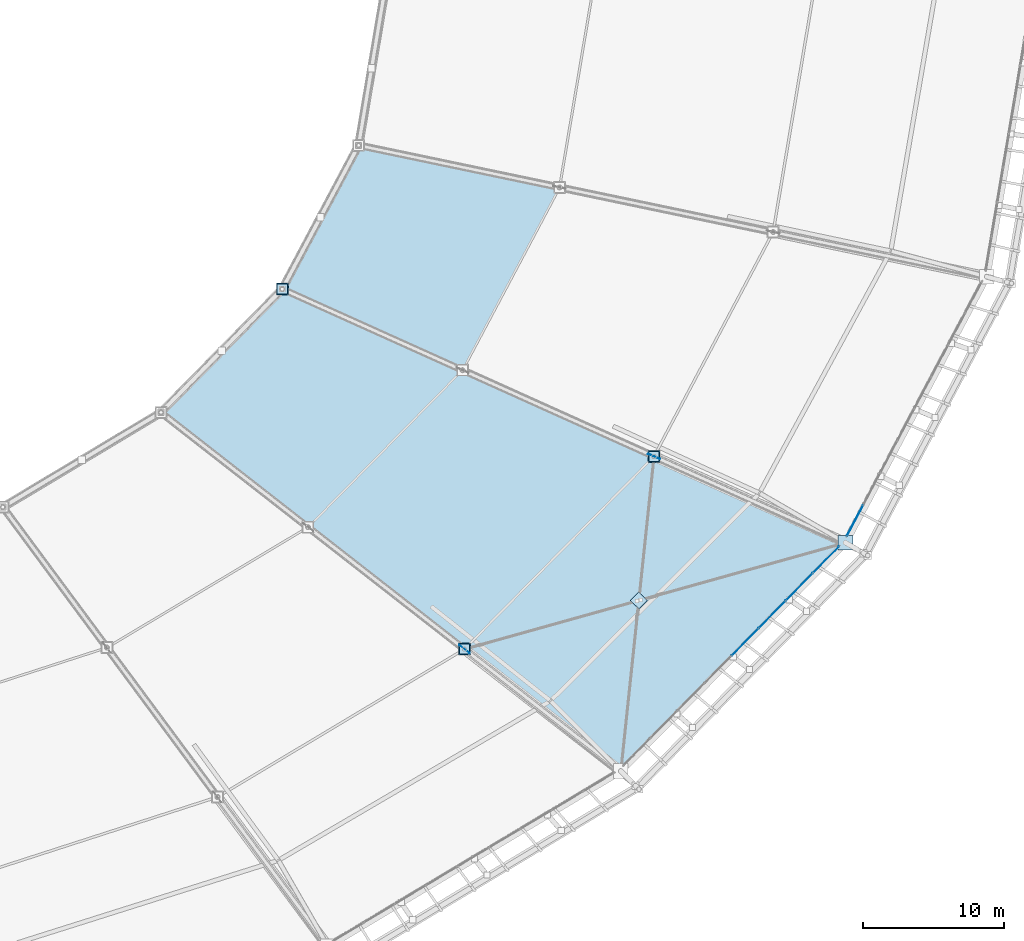
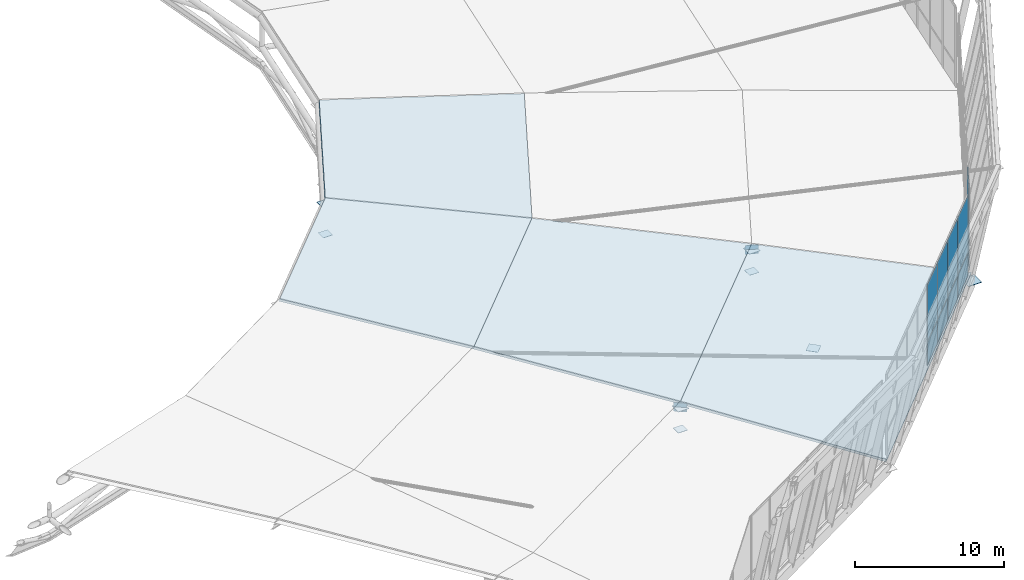
# One storey, part 91 of 115: 20 plates, 4 slabs, 3 elements without a shape of their own.
"""IFC4 building model written with IfcOpenShell, lengths in metres."""

from ifc_helpers import new_model, si_unit, direction, frame, origin, origin_2d, place, context, subcontext, project, spatial, polyline, rectangle, outline, extrude, material, layer, layer_set, type_object, element, aggregate, save


model = new_model("IFC4")

# Units and contexts
model_context = context("Model", 3, precision=1e-05, world=origin(), true_north=direction((0.0, 1.0)))
body_context = subcontext(model_context, "Body", "Model", "MODEL_VIEW")
ifc_project = project(units=[si_unit("LENGTHUNIT", "METRE"), si_unit("AREAUNIT", "SQUARE_METRE"), si_unit("VOLUMEUNIT", "CUBIC_METRE"), si_unit("PLANEANGLEUNIT", "RADIAN"), si_unit("MASSUNIT", "GRAM", prefix="KILO")], contexts=[model_context])

# Site, building, storey
site_placement = place(None, origin())
site = spatial("IfcSite", under=ifc_project, at=site_placement, CompositionType="ELEMENT")
building_placement = place(site_placement, origin())
building = spatial("IfcBuilding", under=site, at=building_placement, Name="Zlatoyarsky Gate Stadium", CompositionType="ELEMENT")
storey_placement = place(building_placement, frame((0.0, 0.0, 31.800048828125)))
storey = spatial("IfcBuildingStorey", under=building, at=storey_placement, Name="RF", CompositionType="ELEMENT", Elevation=31.800048828125)

# Roof, slabs
ifc_material_1 = material(Name="Standing-seam aluminium-zinc roofing with mineral wool insulation", Category="aluminium")
ifc_layer_1 = layer(ifc_material_1, 0.080078125)
ifc_layer_set_1 = layer_set([ifc_layer_1], Name="Standing-seam aluminium-zinc roofing with mineral wool insulation")
roof_type = type_object("IfcRoofType", Name="STADIUM BARREL VAULT ROOF ASSEMBLY", PredefinedType="BARREL_ROOF", material=ifc_layer_set_1)
roof_placement = place(storey_placement, origin())
roof = element("IfcRoof", 1, at=roof_placement, inside=storey, type_object=roof_type, Name="Stadium barrel arch roof sector 8", PredefinedType="BARREL_ROOF")
ifc_material_2 = material(Name="Concrete C40/50", Category="concrete")
ifc_layer_2 = layer(ifc_material_2, 0.199951171875)
ifc_layer_set_2 = layer_set([ifc_layer_2], Name="Concrete C40/50")
slab_type = type_object("IfcSlabType", Name="COMPOSITE STADIUM ROOF DECK SLAB 200", PredefinedType="ROOF", material=ifc_layer_set_2)
slab_1_placement = place(storey_placement, frame((181.730224609375, 24.826171875, 0.199951171875), z_axis=(0.168948625829, -0.166192117478, 0.971512502194), x_axis=(0.701266900285, 0.712898824915, 8.8643e-08)))
slab_1 = element("IfcSlab", 2, at=slab_1_placement, type_object=slab_type, Name="Stadium arched roof deck sector 21 bay 1", PredefinedType="ROOF", context=body_context, shape_type="SweptSolid", body=[
    extrude(outline(polyline([(0.0, 0.0), (22.667889468842993, 0.0), (17.5168582679546, 14.346280713684152), (-1.6058824017872195, 14.346296345083728), (0.0, 0.0)])), origin(), (0.0, 0.0, -1.0), 0.199951171875),
])
slab_2_placement = place(storey_placement, frame((170.66796875, 33.455322265625, 3.599853515625), z_axis=(0.157163436364, -0.154599522261, 0.975396658794), x_axis=(0.701267503741, 0.712898231304, 1.1819e-07)))
slab_2 = element("IfcSlab", 3, at=slab_2_placement, type_object=slab_type, Name="Stadium arched roof deck sector 21 bay 2", PredefinedType="ROOF", context=body_context, shape_type="SweptSolid", body=[
    extrude(outline(polyline([(0.0, 0.0), (19.122740669748183, 0.0), (13.971697741858534, 14.289147505340267), (-1.6058941288034378, 14.289166108712909), (0.0, 0.0)])), origin(), (0.0, 0.0, -1.0), 0.199951171875),
])
slab_3_placement = place(storey_placement, frame((159.605712890625, 42.08447265625, 6.75), z_axis=(0.141161010432, -0.138856723893, 0.980200173109), x_axis=(0.701268194688, 0.712897551629, -1.130846e-06)))
slab_3 = element("IfcSlab", 4, at=slab_3_placement, type_object=slab_type, Name="Stadium arched roof deck sector 21 bay 3", PredefinedType="ROOF", context=body_context, shape_type="SweptSolid", body=[
    extrude(outline(polyline([(0.0, 0.0), (15.577591870662886, 0.0), (10.729505694934321, 13.38278848948377), (-1.5113145713340603, 13.382629616332784), (0.0, 0.0)])), origin(), (0.0, 0.0, -1.0), 0.199951171875),
])
slab_4_placement = place(storey_placement, frame((170.52978515625, 53.189697265625, 6.75), z_axis=(0.164762027399, -0.087486990583, 0.982445673208), x_axis=(0.468975230927, 0.883211318302, 1.93843e-07)))
slab_4 = element("IfcSlab", 5, at=slab_4_placement, type_object=slab_type, Name="Stadium arched roof deck sector 22 bay 3", PredefinedType="ROOF", context=body_context, shape_type="SweptSolid", body=[
    extrude(outline(polyline([(0.0, 0.0), (14.642444595230506, 1.7763568394002505e-15), (10.597969750987318, 14.204854700251184), (-0.9079087809841343, 14.204881870937056), (0.0, 0.0)])), origin(), (0.0, 0.0, -1.0), 0.199951171875),
])
aggregate(roof, [slab_1, slab_2, slab_3, slab_4])

# Plates
ifc_material_3 = material(Name="Steel S355", Category="steel")
ifc_layer_3 = layer(ifc_material_3, 0.02392578125)
ifc_layer_set_3 = layer_set([ifc_layer_3], Name="Steel S355")
plate_type_1 = type_object("IfcPlateType", Name="STEEL COMPRESSION RING NODE CAP SHEET 24", PredefinedType="SHEET", material=ifc_layer_set_3)
plate_1_placement = place(storey_placement, frame((197.62646484375, 40.986083984375, -0.4619140625), z_axis=(0.0, 0.0, 1.0), x_axis=(1.0, 0.0, 0.0)))
element("IfcPlate", 6, at=plate_1_placement, inside=storey, type_object=plate_type_1, Name="Node closure plate ND-CR1 NCAP-CR-22", PredefinedType="SHEET", context=body_context, shape_type="SweptSolid", body=[
    extrude(rectangle(XDim=1.050048828125, YDim=1.050048828125, at=origin_2d()), origin(), (0.0, 0.0, 1.0), 0.02392578125),
])
ifc_layer_4 = layer(ifc_material_3, 0.02392578125)
ifc_layer_set_4 = layer_set([ifc_layer_4], Name="Steel S355")
plate_type_2 = type_object("IfcPlateType", Name="STEEL HOLLOW CHORD SPLICE SHEET 24", PredefinedType="SHEET", material=ifc_layer_set_4)
plate_2_placement = place(storey_placement, frame((170.66796875, 33.455322265625, 3.137939453125), z_axis=(0.0, 0.0, 1.0), x_axis=(1.0, 0.0, 0.0)))
element("IfcPlate", 7, at=plate_2_placement, inside=storey, type_object=plate_type_2, Name="Node closure plate ND-SP1 NCAP-TCH-21-1", PredefinedType="SHEET", context=body_context, shape_type="SweptSolid", body=[
    extrude(rectangle(XDim=0.85009765625, YDim=0.85009765625, at=origin_2d()), origin(), (0.0, 0.0, 1.0), 0.02392578125),
])
plate_3_placement = place(storey_placement, frame((170.66796875, 33.455322265625, 1.337890625), z_axis=(0.0, 0.0, 1.0), x_axis=(1.0, 0.0, 0.0)))
element("IfcPlate", 8, at=plate_3_placement, inside=storey, type_object=plate_type_2, Name="Node closure plate ND-SP1 NCAP-BCH-21-1", PredefinedType="SHEET", context=body_context, shape_type="SweptSolid", body=[
    extrude(rectangle(XDim=0.719970703125, YDim=0.719970703125, at=origin_2d()), origin(), (0.0, 0.0, 1.0), 0.02392578125),
])
plate_4_placement = place(storey_placement, frame((184.078125, 47.087890625, 3.137939453125), z_axis=(0.0, 0.0, 1.0), x_axis=(1.0, 0.0, 0.0)))
element("IfcPlate", 9, at=plate_4_placement, inside=storey, type_object=plate_type_2, Name="Node closure plate ND-SP1 NCAP-TCH-22-1", PredefinedType="SHEET", context=body_context, shape_type="SweptSolid", body=[
    extrude(rectangle(XDim=0.85009765625, YDim=0.85009765625, at=origin_2d()), origin(), (0.0, 0.0, 1.0), 0.02392578125),
])
plate_5_placement = place(storey_placement, frame((184.078125, 47.087890625, 1.337890625), z_axis=(0.0, 0.0, 1.0), x_axis=(1.0, 0.0, 0.0)))
element("IfcPlate", 10, at=plate_5_placement, inside=storey, type_object=plate_type_2, Name="Node closure plate ND-SP1 NCAP-BCH-22-1", PredefinedType="SHEET", context=body_context, shape_type="SweptSolid", body=[
    extrude(rectangle(XDim=0.719970703125, YDim=0.719970703125, at=origin_2d()), origin(), (0.0, 0.0, 1.0), 0.02392578125),
])
ifc_layer_5 = layer(ifc_material_3, 0.031982421875)
ifc_layer_set_5 = layer_set([ifc_layer_5], Name="Steel S355")
plate_type_3 = type_object("IfcPlateType", Name="STEEL RADIAL TRUSS GUSSET PLATE 32", PredefinedType="USERDEFINED", material=ifc_layer_set_5)
for number, where, z_axis, x_axis, name in (
    (11, (170.66796875, 33.455322265625, 2.7900390625), (0.0, 0.0, 1.0), (-0.788479093296, 0.615061557436, 0.0), "Radial truss gusset plate ND-WB1 21.1"),
    (12, (184.078125, 47.087890625, 2.7900390625), (0.0, 0.0, 1.0), (-0.911795809075, 0.410643887757, 0.0), "Radial truss gusset plate ND-WB1 22.1"),
):
    element("IfcPlate", number, at=place(storey_placement, frame(where, z_axis=z_axis, x_axis=x_axis)), inside=storey, type_object=plate_type_3, Name=name, ObjectType="GUSSET PLATE", PredefinedType="USERDEFINED", context=body_context, shape_type="SweptSolid", body=[
        extrude(rectangle(XDim=0.919921875, YDim=0.031982421875, at=origin_2d()), origin(), (0.0, 0.0, 1.0), 0.719970703125),
    ])
ifc_layer_6 = layer(ifc_material_3, 0.02392578125)
ifc_layer_set_6 = layer_set([ifc_layer_6], Name="Steel S355")
plate_type_4 = type_object("IfcPlateType", Name="STEEL TENSION RING NODE CAP SHEET 24", PredefinedType="SHEET", material=ifc_layer_set_6)
plate_6_placement = place(storey_placement, frame((157.7783203125, 58.9326171875, 8.93798828125), z_axis=(0.0, 0.0, 1.0), x_axis=(1.0, 0.0, 0.0)))
element("IfcPlate", 13, at=plate_6_placement, inside=storey, type_object=plate_type_4, Name="Node closure plate ND-TR1 NCAP-TCH-22-3", PredefinedType="SHEET", context=body_context, shape_type="SweptSolid", body=[
    extrude(rectangle(XDim=0.85009765625, YDim=0.85009765625, at=origin_2d()), origin(), (0.0, 0.0, 1.0), 0.02392578125),
])
plate_7_placement = place(storey_placement, frame((157.7783203125, 58.9326171875, 6.43798828125), z_axis=(0.0, 0.0, 1.0), x_axis=(1.0, 0.0, 0.0)))
element("IfcPlate", 14, at=plate_7_placement, inside=storey, type_object=plate_type_4, Name="Node closure plate ND-TR1 NCAP-BCH-22-3", PredefinedType="SHEET", context=body_context, shape_type="SweptSolid", body=[
    extrude(rectangle(XDim=0.719970703125, YDim=0.719970703125, at=origin_2d()), origin(), (0.0, 0.0, 1.0), 0.02392578125),
])
ifc_layer_7 = layer(ifc_material_3, 0.02392578125)
ifc_layer_set_7 = layer_set([ifc_layer_7], Name="Steel S355")
plate_type_5 = type_object("IfcPlateType", Name="STEEL X BRACE CROSSING NODE PLATE 24", PredefinedType="USERDEFINED", material=ifc_layer_set_7)
plate_8_placement = place(storey_placement, frame((183.003662109375, 36.9013671875, 1.582275390625), z_axis=(0.0, 0.0, 1.0), x_axis=(0.701282625266, 0.712883356168, 0.0)))
element("IfcPlate", 15, at=plate_8_placement, inside=storey, type_object=plate_type_5, Name="Roof wind X-brace crossing gusset plate ND-XB1 21", ObjectType="GUSSET PLATE", PredefinedType="USERDEFINED", context=body_context, shape_type="SweptSolid", body=[
    extrude(rectangle(XDim=0.840087890625, YDim=0.840087890625, at=origin_2d()), origin(), (0.0, 0.0, 1.0), 0.02392578125),
])

# Curtain wall, plates
ifc_material_4 = material(Name="Thermally broken anodised aluminium curtain wall", Category="aluminium")
curtain_wall_type = type_object("IfcCurtainWallType", Name="UNITISED SKYBOX RING GLAZING L05", PredefinedType="USERDEFINED", material=ifc_material_4)
curtain_wall_1_placement = place(storey_placement, origin())
curtain_wall_1 = element("IfcCurtainWall", 16, at=curtain_wall_1_placement, inside=storey, type_object=curtain_wall_type, Name="Curtain wall CW-RF-21", ObjectType="UNITISED GLAZING", PredefinedType="USERDEFINED")
ifc_material_5 = material(Name="Triple-glazed argon low-e architectural glass", Category="glass")
ifc_layer_8 = layer(ifc_material_5, 0.0380859375)
ifc_layer_set_8 = layer_set([ifc_layer_8], Name="Triple-glazed argon low-e architectural glass")
plate_type_6 = type_object("IfcPlateType", Name="TRIPLE GLAZED LOW E CURTAIN PANEL 38", PredefinedType="CURTAIN_PANEL", material=ifc_layer_set_8)
plate_9_placement = place(storey_placement, frame((190.525146484375, 33.963134765625, 0.06494140625), z_axis=(0.0, 0.0, 1.0), x_axis=(0.701401848456, 0.712766053473, 0.0)))
plate_9 = element("IfcPlate", 17, at=plate_9_placement, type_object=plate_type_6, Name="CW-UG5 panel 5.1", PredefinedType="CURTAIN_PANEL", context=body_context, shape_type="SweptSolid", body=[
    extrude(rectangle(XDim=2.6640625, YDim=0.0380859375, at=origin_2d()), origin(), (0.0, 0.0, 1.0), 2.052490234375),
])
plate_10_placement = place(storey_placement, frame((190.525146484375, 33.963134765625, 2.1826171875), z_axis=(0.0, 0.0, 1.0), x_axis=(0.701401848456, 0.712766053473, 0.0)))
plate_10 = element("IfcPlate", 18, at=plate_10_placement, type_object=plate_type_6, Name="CW-UG5 panel 5.2", PredefinedType="CURTAIN_PANEL", context=body_context, shape_type="SweptSolid", body=[
    extrude(rectangle(XDim=2.6640625, YDim=0.0380859375, at=origin_2d()), origin(), (0.0, 0.0, 1.0), 4.652587890625),
])
plate_11_placement = place(storey_placement, frame((192.439453125, 35.908203125, 0.06494140625), z_axis=(0.0, 0.0, 1.0), x_axis=(0.701401848456, 0.712766053473, 0.0)))
plate_11 = element("IfcPlate", 19, at=plate_11_placement, type_object=plate_type_6, Name="CW-UG5 panel 6.1", PredefinedType="CURTAIN_PANEL", context=body_context, shape_type="SweptSolid", body=[
    extrude(rectangle(XDim=2.6640625, YDim=0.0380859375, at=origin_2d()), origin(), (0.0, 0.0, 1.0), 2.052490234375),
])
plate_12_placement = place(storey_placement, frame((192.439453125, 35.908203125, 2.1826171875), z_axis=(0.0, 0.0, 1.0), x_axis=(0.701401848456, 0.712766053473, 0.0)))
plate_12 = element("IfcPlate", 20, at=plate_12_placement, type_object=plate_type_6, Name="CW-UG5 panel 6.2", PredefinedType="CURTAIN_PANEL", context=body_context, shape_type="SweptSolid", body=[
    extrude(rectangle(XDim=2.6640625, YDim=0.0380859375, at=origin_2d()), origin(), (0.0, 0.0, 1.0), 4.652587890625),
])
plate_13_placement = place(storey_placement, frame((194.353515625, 37.853515625, 0.06494140625), z_axis=(0.0, 0.0, 1.0), x_axis=(0.701401848456, 0.712766053473, 0.0)))
plate_13 = element("IfcPlate", 21, at=plate_13_placement, type_object=plate_type_6, Name="CW-UG5 panel 7.1", PredefinedType="CURTAIN_PANEL", context=body_context, shape_type="SweptSolid", body=[
    extrude(rectangle(XDim=2.6640625, YDim=0.0380859375, at=origin_2d()), origin(), (0.0, 0.0, 1.0), 2.052490234375),
])
plate_14_placement = place(storey_placement, frame((194.353515625, 37.853515625, 2.1826171875), z_axis=(0.0, 0.0, 1.0), x_axis=(0.701401848456, 0.712766053473, 0.0)))
plate_14 = element("IfcPlate", 22, at=plate_14_placement, type_object=plate_type_6, Name="CW-UG5 panel 7.2", PredefinedType="CURTAIN_PANEL", context=body_context, shape_type="SweptSolid", body=[
    extrude(rectangle(XDim=2.6640625, YDim=0.0380859375, at=origin_2d()), origin(), (0.0, 0.0, 1.0), 4.652587890625),
])
plate_15_placement = place(storey_placement, frame((196.256103515625, 39.786865234375, 0.06494140625), z_axis=(0.0, 0.0, 1.0), x_axis=(0.701401848456, 0.712766053473, 0.0)))
plate_15 = element("IfcPlate", 23, at=plate_15_placement, type_object=plate_type_6, Name="CW-UG5 panel 8.1", PredefinedType="CURTAIN_PANEL", context=body_context, shape_type="SweptSolid", body=[
    extrude(rectangle(XDim=2.63134765625, YDim=0.0380859375, at=origin_2d()), origin(), (0.0, 0.0, 1.0), 2.052490234375),
])
plate_16_placement = place(storey_placement, frame((196.256103515625, 39.786865234375, 2.1826171875), z_axis=(0.0, 0.0, 1.0), x_axis=(0.701401848456, 0.712766053473, 0.0)))
plate_16 = element("IfcPlate", 24, at=plate_16_placement, type_object=plate_type_6, Name="CW-UG5 panel 8.2", PredefinedType="CURTAIN_PANEL", context=body_context, shape_type="SweptSolid", body=[
    extrude(rectangle(XDim=2.63134765625, YDim=0.0380859375, at=origin_2d()), origin(), (0.0, 0.0, 1.0), 4.652587890625),
])
aggregate(curtain_wall_1, [plate_9, plate_10, plate_11, plate_12, plate_13, plate_14, plate_15, plate_16])

curtain_wall_2_placement = place(storey_placement, origin())
curtain_wall_2 = element("IfcCurtainWall", 25, at=curtain_wall_2_placement, inside=storey, type_object=curtain_wall_type, Name="Curtain wall CW-RF-22", ObjectType="UNITISED GLAZING", PredefinedType="USERDEFINED")
plate_17_placement = place(storey_placement, frame((198.30078125, 42.5537109375, 0.06494140625), z_axis=(0.0, 0.0, 1.0), x_axis=(0.469126652345, 0.883130898599, 0.0)))
plate_17 = element("IfcPlate", 26, at=plate_17_placement, type_object=plate_type_6, Name="CW-UG5 panel 1.1", PredefinedType="CURTAIN_PANEL", context=body_context, shape_type="SweptSolid", body=[
    extrude(rectangle(XDim=2.46142578125, YDim=0.0380859375, at=origin_2d()), origin(), (0.0, 0.0, 1.0), 2.052490234375),
])
plate_18_placement = place(storey_placement, frame((198.30078125, 42.5537109375, 2.1826171875), z_axis=(0.0, 0.0, 1.0), x_axis=(0.469126652345, 0.883130898599, 0.0)))
plate_18 = element("IfcPlate", 27, at=plate_18_placement, type_object=plate_type_6, Name="CW-UG5 panel 1.2", PredefinedType="CURTAIN_PANEL", context=body_context, shape_type="SweptSolid", body=[
    extrude(rectangle(XDim=2.46142578125, YDim=0.0380859375, at=origin_2d()), origin(), (0.0, 0.0, 1.0), 4.652587890625),
])
aggregate(curtain_wall_2, [plate_17, plate_18])

save(model, "model.ifc")
